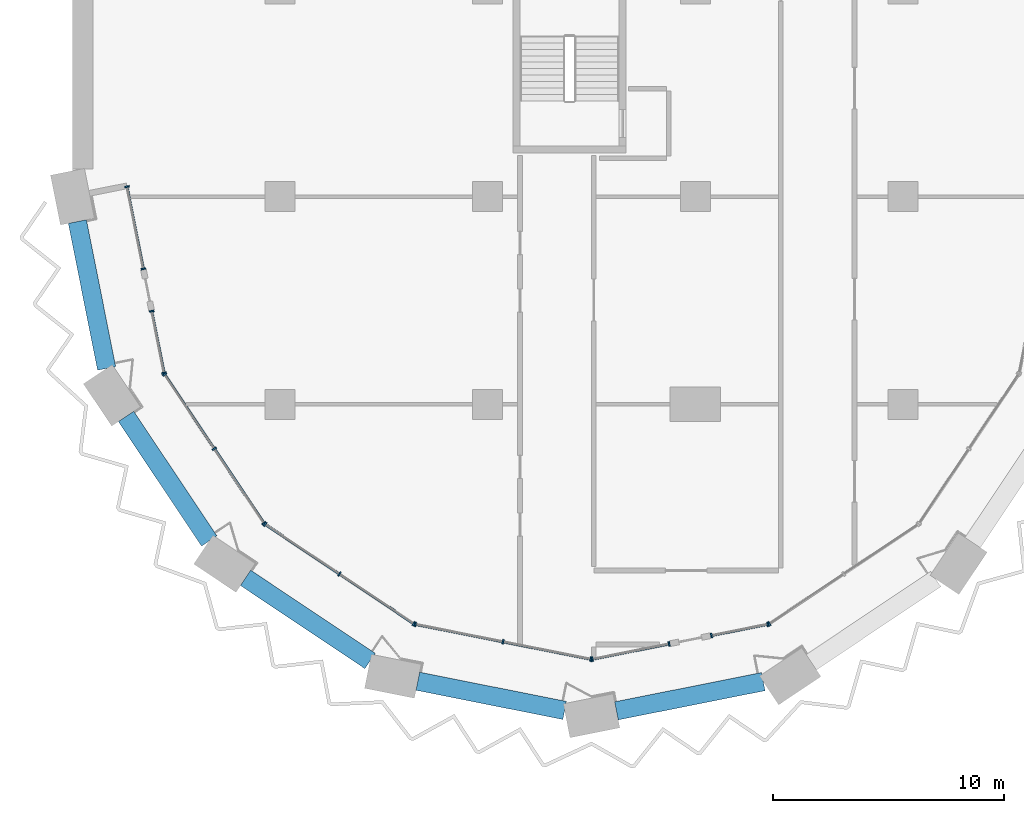
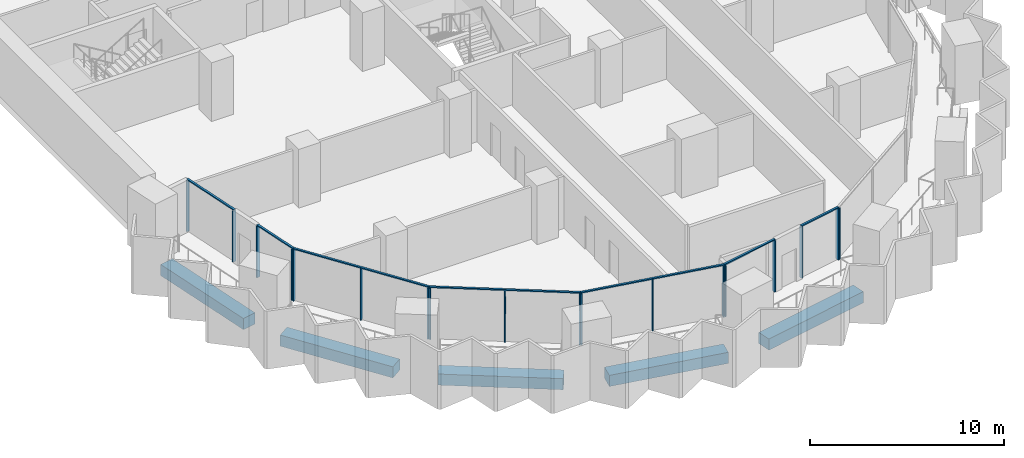
# One storey, part 2 of 22: 25 members, 5 beams, 8 elements without a shape of their own.
"""IFC4 building model written with IfcOpenShell, lengths in metres."""

from ifc_helpers import new_model, si_unit, direction, frame, origin, origin_2d, place, context, subcontext, project, spatial, rectangle, extrude, material, material_profile, profile_set, type_object, element, aggregate, save


model = new_model("IFC4")

# Units and contexts
model_context = context("Model", 3, precision=1e-05, world=origin(), true_north=direction((0.0, 1.0)))
body_context = subcontext(model_context, "Body", "Model", "MODEL_VIEW")
ifc_project = project(units=[si_unit("LENGTHUNIT", "METRE"), si_unit("AREAUNIT", "SQUARE_METRE"), si_unit("VOLUMEUNIT", "CUBIC_METRE"), si_unit("PLANEANGLEUNIT", "RADIAN"), si_unit("MASSUNIT", "GRAM", prefix="KILO")], contexts=[model_context])

# Site, building, storey
site_placement = place(None, origin())
site = spatial("IfcSite", under=ifc_project, at=site_placement, CompositionType="ELEMENT")
building_placement = place(site_placement, origin())
building = spatial("IfcBuilding", under=site, at=building_placement, Name="Hunhe Ridgeline Campus", CompositionType="ELEMENT")
storey_placement = place(building_placement, frame((0.0, 0.0, 88.5)))
storey = spatial("IfcBuildingStorey", under=building, at=storey_placement, Name="L21", CompositionType="ELEMENT", Elevation=88.5)

# Curtain wall, members
ifc_material_1 = material(Name="Aluminium 6063", Category="aluminium")
curtain_wall_type = type_object("IfcCurtainWallType", Name="Curtain wall CW-5", PredefinedType="NOTDEFINED", material=ifc_material_1)
curtain_wall_1_placement = place(storey_placement, origin())
curtain_wall_1 = element("IfcCurtainWall", 1, at=curtain_wall_1_placement, inside=storey, type_object=curtain_wall_type, Name="Curtain wall 01", PredefinedType="NOTDEFINED")
ifc_material_profile_1 = material_profile(ifc_material_1, rectangle(XDim=0.199951171875, YDim=0.070068359375, at=origin_2d()))
ifc_profile_set_1 = profile_set([ifc_material_profile_1], Name="Aluminium 6063")
member_type_1 = type_object("IfcMemberType", Name="CW-5 aluminium mullion", PredefinedType="MULLION", material=ifc_profile_set_1)
member_1_placement = place(storey_placement, frame((2.361572265625, 27.434326171875, 0.0), z_axis=(0.0, 0.0, 1.0), x_axis=(0.980784284924, 0.195095326561, 0.0)))
member_1 = element("IfcMember", 2, at=member_1_placement, type_object=member_type_1, Name="CW-5 mullion 1", PredefinedType="MULLION", context=body_context, shape_type="SweptSolid", body=[
    extrude(rectangle(XDim=0.199951171875, YDim=0.070068359375, at=origin_2d()), origin(), (0.0, 0.0, 1.0), 3.22998046875),
])
member_2_placement = place(storey_placement, frame((3.070068359375, 23.873291015625, 0.0), z_axis=(0.0, 0.0, 1.0), x_axis=(0.980784284924, 0.195095326561, 0.0)))
member_2 = element("IfcMember", 3, at=member_2_placement, type_object=member_type_1, Name="CW-5 mullion 2", PredefinedType="MULLION", context=body_context, shape_type="SweptSolid", body=[
    extrude(rectangle(XDim=0.199951171875, YDim=0.070068359375, at=origin_2d()), origin(), (0.0, 0.0, 1.0), 3.22998046875),
])

curtain_wall_2_placement = place(storey_placement, origin())
curtain_wall_2 = element("IfcCurtainWall", 4, at=curtain_wall_2_placement, inside=storey, type_object=curtain_wall_type, Name="Curtain wall 02", PredefinedType="NOTDEFINED")
member_3_placement = place(storey_placement, frame((3.434814453125, 22.0390625, 0.0), z_axis=(0.0, 0.0, 1.0), x_axis=(0.980784297053, 0.195095265587, 0.0)))
member_3 = element("IfcMember", 5, at=member_3_placement, type_object=member_type_1, Name="CW-5 mullion 1", PredefinedType="MULLION", context=body_context, shape_type="SweptSolid", body=[
    extrude(rectangle(XDim=0.199951171875, YDim=0.070068359375, at=origin_2d()), origin(), (0.0, 0.0, 1.0), 3.22998046875),
])
member_4_placement = place(storey_placement, frame((3.967529296875, 19.36083984375, 0.0), z_axis=(0.0, 0.0, 1.0), x_axis=(0.980784297053, 0.195095265587, 0.0)))
member_4 = element("IfcMember", 6, at=member_4_placement, type_object=member_type_1, Name="CW-5 mullion 2", PredefinedType="MULLION", context=body_context, shape_type="SweptSolid", body=[
    extrude(rectangle(XDim=0.199951171875, YDim=0.070068359375, at=origin_2d()), origin(), (0.0, 0.0, 1.0), 3.22998046875),
])

curtain_wall_3_placement = place(storey_placement, origin())
curtain_wall_3 = element("IfcCurtainWall", 7, at=curtain_wall_3_placement, inside=storey, type_object=curtain_wall_type, Name="Curtain wall 03", PredefinedType="NOTDEFINED")
member_5_placement = place(storey_placement, frame((3.993896484375, 19.29736328125, 0.0), z_axis=(0.0, 0.0, 1.0), x_axis=(0.831469584522, 0.555570274596, 0.0)))
member_5 = element("IfcMember", 8, at=member_5_placement, type_object=member_type_1, Name="CW-5 mullion 1", PredefinedType="MULLION", context=body_context, shape_type="SweptSolid", body=[
    extrude(rectangle(XDim=0.199951171875, YDim=0.070068359375, at=origin_2d()), origin(), (0.0, 0.0, 1.0), 3.22998046875),
])
member_6_placement = place(storey_placement, frame((6.147705078125, 16.07373046875, 0.0), z_axis=(0.0, 0.0, 1.0), x_axis=(0.831469584522, 0.555570274596, 0.0)))
member_6 = element("IfcMember", 9, at=member_6_placement, type_object=member_type_1, Name="CW-5 mullion 2", PredefinedType="MULLION", context=body_context, shape_type="SweptSolid", body=[
    extrude(rectangle(XDim=0.199951171875, YDim=0.070068359375, at=origin_2d()), origin(), (0.0, 0.0, 1.0), 3.22998046875),
])
member_7_placement = place(storey_placement, frame((8.3017578125, 12.850341796875, 0.0), z_axis=(0.0, 0.0, 1.0), x_axis=(0.831469584522, 0.555570274596, 0.0)))
member_7 = element("IfcMember", 10, at=member_7_placement, type_object=member_type_1, Name="CW-5 mullion 3", PredefinedType="MULLION", context=body_context, shape_type="SweptSolid", body=[
    extrude(rectangle(XDim=0.199951171875, YDim=0.070068359375, at=origin_2d()), origin(), (0.0, 0.0, 1.0), 3.22998046875),
])

curtain_wall_4_placement = place(storey_placement, origin())
curtain_wall_4 = element("IfcCurtainWall", 11, at=curtain_wall_4_placement, inside=storey, type_object=curtain_wall_type, Name="Curtain wall 04", PredefinedType="NOTDEFINED")
member_8_placement = place(storey_placement, frame((8.350341796875, 12.8017578125, 0.0), z_axis=(0.0, 0.0, 1.0), x_axis=(0.555570274596, 0.831469584522, 0.0)))
member_8 = element("IfcMember", 12, at=member_8_placement, type_object=member_type_1, Name="CW-5 mullion 1", PredefinedType="MULLION", context=body_context, shape_type="SweptSolid", body=[
    extrude(rectangle(XDim=0.199951171875, YDim=0.070068359375, at=origin_2d()), origin(), (0.0, 0.0, 1.0), 3.22998046875),
])
member_9_placement = place(storey_placement, frame((11.57373046875, 10.647705078125, 0.0), z_axis=(0.0, 0.0, 1.0), x_axis=(0.555570274596, 0.831469584522, 0.0)))
member_9 = element("IfcMember", 13, at=member_9_placement, type_object=member_type_1, Name="CW-5 mullion 2", PredefinedType="MULLION", context=body_context, shape_type="SweptSolid", body=[
    extrude(rectangle(XDim=0.199951171875, YDim=0.070068359375, at=origin_2d()), origin(), (0.0, 0.0, 1.0), 3.22998046875),
])
member_10_placement = place(storey_placement, frame((14.79736328125, 8.493896484375, 0.0), z_axis=(0.0, 0.0, 1.0), x_axis=(0.555570274596, 0.831469584522, 0.0)))
member_10 = element("IfcMember", 14, at=member_10_placement, type_object=member_type_1, Name="CW-5 mullion 3", PredefinedType="MULLION", context=body_context, shape_type="SweptSolid", body=[
    extrude(rectangle(XDim=0.199951171875, YDim=0.070068359375, at=origin_2d()), origin(), (0.0, 0.0, 1.0), 3.22998046875),
])

curtain_wall_5_placement = place(storey_placement, origin())
curtain_wall_5 = element("IfcCurtainWall", 15, at=curtain_wall_5_placement, inside=storey, type_object=curtain_wall_type, Name="Curtain wall 05", PredefinedType="NOTDEFINED")
member_11_placement = place(storey_placement, frame((14.86083984375, 8.467529296875, 0.0), z_axis=(0.0, 0.0, 1.0), x_axis=(0.195090347539, 0.980785275326, 0.0)))
member_11 = element("IfcMember", 16, at=member_11_placement, type_object=member_type_1, Name="CW-5 mullion 1", PredefinedType="MULLION", context=body_context, shape_type="SweptSolid", body=[
    extrude(rectangle(XDim=0.199951171875, YDim=0.070068359375, at=origin_2d()), origin(), (0.0, 0.0, 1.0), 3.22998046875),
])
member_12_placement = place(storey_placement, frame((18.663330078125, 7.711181640625, 0.0), z_axis=(0.0, 0.0, 1.0), x_axis=(0.195090347539, 0.980785275326, 0.0)))
member_12 = element("IfcMember", 17, at=member_12_placement, type_object=member_type_1, Name="CW-5 mullion 2", PredefinedType="MULLION", context=body_context, shape_type="SweptSolid", body=[
    extrude(rectangle(XDim=0.199951171875, YDim=0.070068359375, at=origin_2d()), origin(), (0.0, 0.0, 1.0), 3.22998046875),
])
member_13_placement = place(storey_placement, frame((22.465576171875, 6.954833984375, 0.0), z_axis=(0.0, 0.0, 1.0), x_axis=(0.195090347539, 0.980785275326, 0.0)))
member_13 = element("IfcMember", 18, at=member_13_placement, type_object=member_type_1, Name="CW-5 mullion 3", PredefinedType="MULLION", context=body_context, shape_type="SweptSolid", body=[
    extrude(rectangle(XDim=0.199951171875, YDim=0.070068359375, at=origin_2d()), origin(), (0.0, 0.0, 1.0), 3.22998046875),
])

curtain_wall_6_placement = place(storey_placement, origin())
curtain_wall_6 = element("IfcCurtainWall", 19, at=curtain_wall_6_placement, inside=storey, type_object=curtain_wall_type, Name="Curtain wall 06", PredefinedType="NOTDEFINED")
member_14_placement = place(storey_placement, frame((22.534423828125, 6.954833984375, 0.0), z_axis=(0.0, 0.0, 1.0), x_axis=(-0.19509037034, 0.980785270791, 0.0)))
member_14 = element("IfcMember", 20, at=member_14_placement, type_object=member_type_1, Name="CW-5 mullion 1", PredefinedType="MULLION", context=body_context, shape_type="SweptSolid", body=[
    extrude(rectangle(XDim=0.199951171875, YDim=0.070068359375, at=origin_2d()), origin(), (0.0, 0.0, 1.0), 3.22998046875),
])
member_15_placement = place(storey_placement, frame((25.861083984375, 7.61669921875, 0.0), z_axis=(0.0, 0.0, 1.0), x_axis=(-0.19509037034, 0.980785270791, 0.0)))
member_15 = element("IfcMember", 21, at=member_15_placement, type_object=member_type_1, Name="CW-5 mullion 2", PredefinedType="MULLION", context=body_context, shape_type="SweptSolid", body=[
    extrude(rectangle(XDim=0.199951171875, YDim=0.070068359375, at=origin_2d()), origin(), (0.0, 0.0, 1.0), 3.22998046875),
])

curtain_wall_7_placement = place(storey_placement, origin())
curtain_wall_7 = element("IfcCurtainWall", 22, at=curtain_wall_7_placement, inside=storey, type_object=curtain_wall_type, Name="Curtain wall 07", PredefinedType="NOTDEFINED")
member_16_placement = place(storey_placement, frame((27.695068359375, 7.9814453125, 0.0), z_axis=(0.0, 0.0, 1.0), x_axis=(-0.195090514627, 0.980785242091, 0.0)))
member_16 = element("IfcMember", 23, at=member_16_placement, type_object=member_type_1, Name="CW-5 mullion 1", PredefinedType="MULLION", context=body_context, shape_type="SweptSolid", body=[
    extrude(rectangle(XDim=0.199951171875, YDim=0.070068359375, at=origin_2d()), origin(), (0.0, 0.0, 1.0), 3.22998046875),
])
member_17_placement = place(storey_placement, frame((30.13916015625, 8.467529296875, 0.0), z_axis=(0.0, 0.0, 1.0), x_axis=(-0.195090514627, 0.980785242091, 0.0)))
member_17 = element("IfcMember", 24, at=member_17_placement, type_object=member_type_1, Name="CW-5 mullion 2", PredefinedType="MULLION", context=body_context, shape_type="SweptSolid", body=[
    extrude(rectangle(XDim=0.199951171875, YDim=0.070068359375, at=origin_2d()), origin(), (0.0, 0.0, 1.0), 3.22998046875),
])

# Curtain wall, member
curtain_wall_8_placement = place(storey_placement, origin())
curtain_wall_8 = element("IfcCurtainWall", 25, at=curtain_wall_8_placement, inside=storey, type_object=curtain_wall_type, Name="Curtain wall 08", PredefinedType="NOTDEFINED")
member_18_placement = place(storey_placement, frame((30.20263671875, 8.493896484375, 0.0), z_axis=(0.0, 0.0, 1.0), x_axis=(-0.555570274596, 0.831469584522, 0.0)))
member_18 = element("IfcMember", 26, at=member_18_placement, type_object=member_type_1, Name="CW-5 mullion 1", PredefinedType="MULLION", context=body_context, shape_type="SweptSolid", body=[
    extrude(rectangle(XDim=0.199951171875, YDim=0.070068359375, at=origin_2d()), origin(), (0.0, 0.0, 1.0), 3.22998046875),
])
aggregate(curtain_wall_8, [member_18])

# Member
ifc_material_profile_2 = material_profile(ifc_material_1, rectangle(XDim=0.1201171875, YDim=0.070068359375, at=origin_2d()))
ifc_profile_set_2 = profile_set([ifc_material_profile_2], Name="Aluminium 6063")
member_type_2 = type_object("IfcMemberType", Name="CW-5 aluminium transom", PredefinedType="USERDEFINED", material=ifc_profile_set_2)
member_19_placement = place(storey_placement, frame((2.354736328125, 27.46875, 3.264892578125), z_axis=(0.195126549745, -0.980778073564, 0.0), x_axis=(0.980778073564, 0.195126549745, 0.0)))
member_19 = element("IfcMember", 27, at=member_19_placement, type_object=member_type_2, Name="CW-5 transom 1", ObjectType="TRANSOM", PredefinedType="USERDEFINED", context=body_context, shape_type="SweptSolid", body=[
    extrude(rectangle(XDim=0.1201171875, YDim=0.070068359375, at=origin_2d()), origin(), (0.0, 0.0, 1.0), 3.700927734375),
])

aggregate(curtain_wall_1, [member_19, member_1, member_2])

member_20_placement = place(storey_placement, frame((3.427978515625, 22.073486328125, 3.264892578125), z_axis=(0.195076742145, -0.98078798151, 0.0), x_axis=(0.98078798151, 0.195076742145, 0.0)))
member_20 = element("IfcMember", 28, at=member_20_placement, type_object=member_type_2, Name="CW-5 transom 1", ObjectType="TRANSOM", PredefinedType="USERDEFINED", context=body_context, shape_type="SweptSolid", body=[
    extrude(rectangle(XDim=0.1201171875, YDim=0.070068359375, at=origin_2d()), origin(), (0.0, 0.0, 1.0), 2.80078125),
])

aggregate(curtain_wall_2, [member_20, member_3, member_4])

member_21_placement = place(storey_placement, frame((3.974365234375, 19.326416015625, 3.264892578125), z_axis=(0.5555640203, -0.831473763475, 0.0), x_axis=(0.831473763475, 0.5555640203, 0.0)))
member_21 = element("IfcMember", 29, at=member_21_placement, type_object=member_type_2, Name="CW-5 transom 1", ObjectType="TRANSOM", PredefinedType="USERDEFINED", context=body_context, shape_type="SweptSolid", body=[
    extrude(rectangle(XDim=0.1201171875, YDim=0.070068359375, at=origin_2d()), origin(), (0.0, 0.0, 1.0), 7.823974609375),
])

aggregate(curtain_wall_3, [member_21, member_5, member_6, member_7])

member_22_placement = place(storey_placement, frame((8.321044921875, 12.821044921875, 3.264892578125), z_axis=(0.831473763475, -0.5555640203, 0.0), x_axis=(0.5555640203, 0.831473763475, 0.0)))
member_22 = element("IfcMember", 30, at=member_22_placement, type_object=member_type_2, Name="CW-5 transom 1", ObjectType="TRANSOM", PredefinedType="USERDEFINED", context=body_context, shape_type="SweptSolid", body=[
    extrude(rectangle(XDim=0.1201171875, YDim=0.070068359375, at=origin_2d()), origin(), (0.0, 0.0, 1.0), 7.823974609375),
])

aggregate(curtain_wall_4, [member_22, member_8, member_9, member_10])

member_23_placement = place(storey_placement, frame((14.826416015625, 8.474365234375, 3.264892578125), z_axis=(0.980785367689, -0.195089883198, 0.0), x_axis=(0.195089883198, 0.980785367689, 0.0)))
member_23 = element("IfcMember", 31, at=member_23_placement, type_object=member_type_2, Name="CW-5 transom 1", ObjectType="TRANSOM", PredefinedType="USERDEFINED", context=body_context, shape_type="SweptSolid", body=[
    extrude(rectangle(XDim=0.1201171875, YDim=0.070068359375, at=origin_2d()), origin(), (0.0, 0.0, 1.0), 7.823974609375),
])

aggregate(curtain_wall_5, [member_23, member_11, member_12, member_13])

member_24_placement = place(storey_placement, frame((22.5, 6.947998046875, 3.264892578125), z_axis=(0.980778171596, 0.195126057004, 0.0), x_axis=(-0.195126057004, 0.980778171596, 0.0)))
member_24 = element("IfcMember", 32, at=member_24_placement, type_object=member_type_2, Name="CW-5 transom 1", ObjectType="TRANSOM", PredefinedType="USERDEFINED", context=body_context, shape_type="SweptSolid", body=[
    extrude(rectangle(XDim=0.1201171875, YDim=0.070068359375, at=origin_2d()), origin(), (0.0, 0.0, 1.0), 3.462158203125),
])

aggregate(curtain_wall_6, [member_24, member_14, member_15])

member_25_placement = place(storey_placement, frame((27.660888671875, 7.974609375, 3.264892578125), z_axis=(0.980789038007, 0.195071430315, 0.0), x_axis=(-0.195071430315, 0.980789038007, 0.0)))
member_25 = element("IfcMember", 33, at=member_25_placement, type_object=member_type_2, Name="CW-5 transom 1", ObjectType="TRANSOM", PredefinedType="USERDEFINED", context=body_context, shape_type="SweptSolid", body=[
    extrude(rectangle(XDim=0.1201171875, YDim=0.070068359375, at=origin_2d()), origin(), (0.0, 0.0, 1.0), 2.56201171875),
])

aggregate(curtain_wall_7, [member_25, member_16, member_17])

# Beams
ifc_material_2 = material(Name="Concrete C60", Category="concrete")
ifc_material_profile_3 = material_profile(ifc_material_2, rectangle(XDim=0.800048828125, YDim=0.699951171875, at=origin_2d()))
ifc_profile_set_3 = profile_set([ifc_material_profile_3], Name="Concrete C60")
beam_type = type_object("IfcBeamType", Name="RC spandrel beam 800x700 Concrete C60", PredefinedType="SPANDREL", material=ifc_profile_set_3)
for number, where, z_axis, x_axis, name in (
    (34, (0.214599609375, 25.921142578125, -0.60009765625), (0.195095759636, -0.980784198778, 0.0), (0.980784198778, 0.195095759636, 0.0), "Spandrel beam B1-1 L21"),
    (35, (2.32373046875, 17.47509765625, -0.60009765625), (0.555585540178, -0.831459384183, 0.0), (0.831459384183, 0.555585540178, 0.0), "Spandrel beam B1-2 L21"),
    (36, (7.504638671875, 10.47900390625, -0.60009765625), (0.831476765351, -0.555559527577, 0.0), (0.555559527577, 0.831476765351, 0.0), "Spandrel beam B1-3 L21"),
    (37, (14.968505859375, 5.998046875, -0.60009765625), (0.980784198778, -0.195095759636, 0.0), (0.195095759636, 0.980784198778, 0.0), "Spandrel beam B1-4 L21"),
    (38, (23.578857421875, 4.714599609375, -0.60009765625), (0.980784198778, 0.195095759636, 0.0), (-0.195095759636, 0.980784198778, 0.0), "Spandrel beam B1-5 L21"),
):
    element("IfcBeam", number, at=place(storey_placement, frame(where, z_axis=z_axis, x_axis=x_axis)), inside=storey, type_object=beam_type, Name=name, PredefinedType="SPANDREL", context=body_context, shape_type="SweptSolid", body=[
        extrude(rectangle(XDim=0.800048828125, YDim=0.699951171875, at=origin_2d()), origin(), (0.0, 0.0, 1.0), 6.488525390625),
    ])

save(model, "model.ifc")
